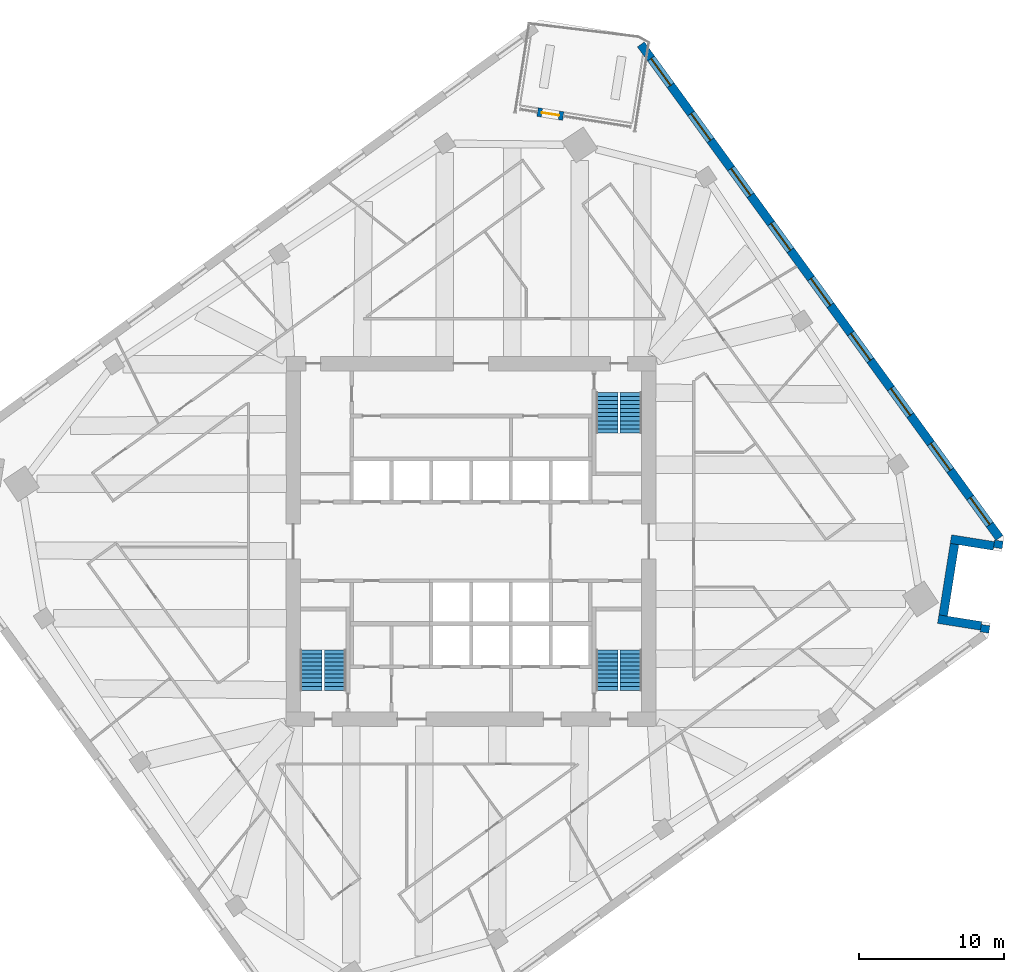
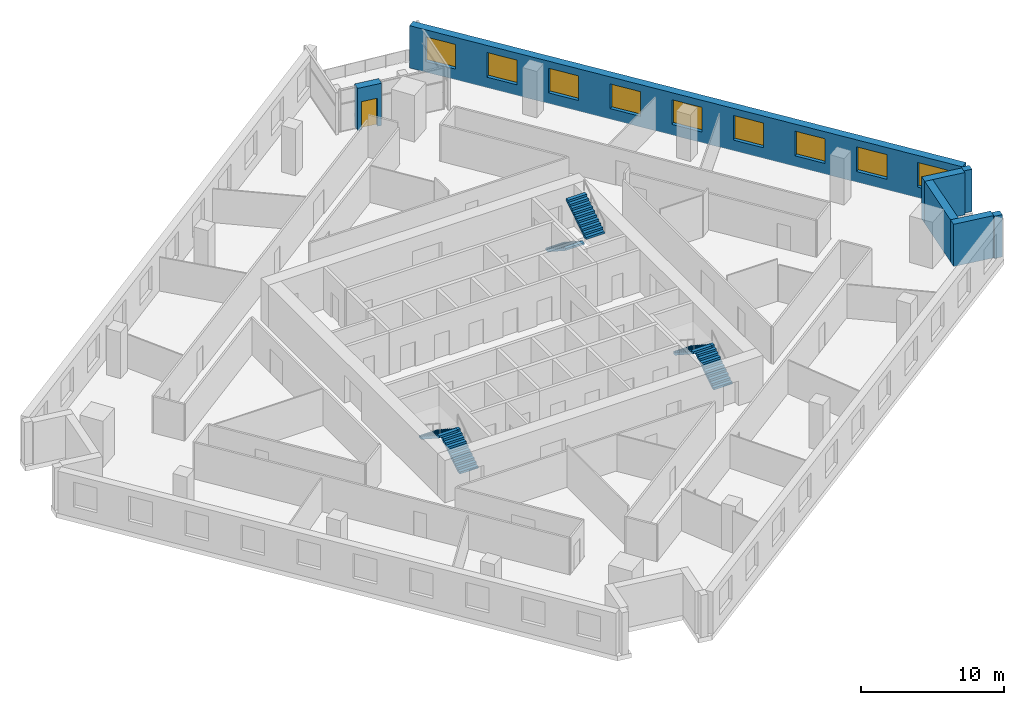
# One storey, part 9 of 11: 9 windows, 7 walls, 6 stair flights, 1 door, 10 openings, 3 elements without a shape of their own.
"""IFC4 building model written with IfcOpenShell, lengths in metres."""

from ifc_helpers import new_model, si_unit, direction, frame, frame_2d, origin, place, context, subcontext, project, spatial, polyline, rectangle, outline, extrude, material, layer, layer_set, type_object, element, fill, aggregate, save


model = new_model("IFC4")

# Units and contexts
model_context = context("Model", 3, precision=1e-05, world=origin(), true_north=direction((0.0, 1.0)))
body_context = subcontext(model_context, "Body", "Model", "MODEL_VIEW")
ifc_project = project(units=[si_unit("LENGTHUNIT", "METRE"), si_unit("AREAUNIT", "SQUARE_METRE"), si_unit("VOLUMEUNIT", "CUBIC_METRE"), si_unit("PLANEANGLEUNIT", "RADIAN"), si_unit("MASSUNIT", "GRAM", prefix="KILO")], contexts=[model_context])

# Site, building, storey
site_placement = place(None, origin())
site = spatial("IfcSite", under=ifc_project, at=site_placement, CompositionType="ELEMENT")
building_placement = place(site_placement, origin())
building = spatial("IfcBuilding", under=site, at=building_placement, Name="Dilmun Exchange Tower", CompositionType="ELEMENT")
storey_placement = place(building_placement, frame((0.0, 0.0, 163.699951171875)))
storey = spatial("IfcBuildingStorey", under=building, at=storey_placement, Name="L38", CompositionType="ELEMENT", Elevation=163.699951171875)

# Walls
ifc_material_1 = material(Name="Precast concrete C50/60", Category="concrete")
ifc_layer = layer(ifc_material_1, 0.60009765625)
ifc_layer_set = layer_set([ifc_layer], Name="Precast concrete C50/60")
wall_type = type_object("IfcWallType", Name="Precast stone-clad wall 600", PredefinedType="STANDARD", material=ifc_layer_set)
wall_1_placement = place(storey_placement, frame((35.497314453125, -6.296142578125, 0.0), z_axis=(0.0, 0.0, 1.0), x_axis=(0.156649231492, 0.987654300994, 0.0)))
element("IfcWall", 1, at=wall_1_placement, inside=storey, type_object=wall_type, Name="Facade wall L38-16", PredefinedType="STANDARD", context=body_context, shape_type="SweptSolid", body=[
    extrude(rectangle(XDim=0.51123046875, YDim=0.60009765625, at=frame_2d((0.255615234375, 0.0))), origin(), (0.0, 0.0, 1.0), 3.60009765625),
])
wall_2_placement = place(storey_placement, frame((35.265380859375, -5.843017578125, 0.0), z_axis=(0.0, 0.0, 1.0), x_axis=(-0.987692262674, 0.156409699997, 0.0)))
element("IfcWall", 2, at=wall_2_placement, inside=storey, type_object=wall_type, Name="Facade wall L38-17", PredefinedType="STANDARD", context=body_context, shape_type="SweptSolid", body=[
    extrude(rectangle(XDim=3.0, YDim=0.60009765625, at=frame_2d((1.5, 0.0))), origin(), (0.0, 0.0, 1.0), 3.60009765625),
])
wall_3_placement = place(storey_placement, frame((32.6455078125, -5.12451171875, 0.0), z_axis=(0.0, 0.0, 1.0), x_axis=(0.156443969736, 0.987686835152, 0.0)))
element("IfcWall", 3, at=wall_3_placement, inside=storey, type_object=wall_type, Name="Facade wall L38-18", PredefinedType="STANDARD", context=body_context, shape_type="SweptSolid", body=[
    extrude(rectangle(XDim=5.0, YDim=0.60009765625, at=frame_2d((2.5, 0.0))), origin(), (0.0, 0.0, 1.0), 3.60009765625),
])
wall_4_placement = place(storey_placement, frame((33.178466796875, 0.1572265625, 0.0), z_axis=(0.0, 0.0, 1.0), x_axis=(0.987690271588, -0.156422272742, 0.0)))
element("IfcWall", 4, at=wall_4_placement, inside=storey, type_object=wall_type, Name="Facade wall L38-19", PredefinedType="STANDARD", context=body_context, shape_type="SweptSolid", body=[
    extrude(rectangle(XDim=2.999755859375, YDim=0.60009765625, at=frame_2d((1.5, 0.0))), origin(), (0.0, 0.0, 1.0), 3.60009765625),
])
wall_5_placement = place(storey_placement, frame((36.422119140625, -0.457763671875, 0.0), z_axis=(0.0, 0.0, 1.0), x_axis=(0.156575375554, 0.987666012258, 0.0)))
element("IfcWall", 5, at=wall_5_placement, inside=storey, type_object=wall_type, Name="Facade wall L38-20", PredefinedType="STANDARD", context=body_context, shape_type="SweptSolid", body=[
    extrude(rectangle(XDim=0.511474609375, YDim=0.60009765625, at=frame_2d((0.255859375, 0.0))), origin(), (0.0, 0.0, 1.0), 3.60009765625),
])

# Wall, openings, windows
wall_6_placement = place(storey_placement, frame((36.533447265625, 0.244873046875, 0.0), z_axis=(0.0, 0.0, 1.0), x_axis=(-0.58778579343, 0.809016601215, 0.0)))
wall_6 = element("IfcWall", 6, at=wall_6_placement, inside=storey, type_object=wall_type, Name="Facade wall L38-21", PredefinedType="STANDARD", context=body_context, shape_type="SweptSolid", body=[
    extrude(rectangle(XDim=42.17578125, YDim=0.60009765625, at=frame_2d((21.087890625, 0.0))), origin(), (0.0, 0.0, 1.0), 3.60009765625),
])
opening_1_placement = place(wall_6_placement, frame((1.137939453125, 0.0, 0.89990234375)))
opening_1 = element("IfcOpeningElement", 7, at=opening_1_placement, cuts=wall_6, Name="Opening W230-210", PredefinedType="OPENING", context=body_context, shape_type="SweptSolid", body=[
    extrude(rectangle(XDim=2.300048828125, YDim=2.10009765625, at=frame_2d((1.14990234375, 1.050048828125))), frame((0.0, 0.31005859375, 0.0), z_axis=(0.0, -1.0, 0.0), x_axis=(1.0, 0.0, 0.0)), (0.0, 0.0, 1.0), 0.6201171875),
])
opening_2_placement = place(wall_6_placement, frame((5.775634765625, 0.0, 0.89990234375)))
opening_2 = element("IfcOpeningElement", 8, at=opening_2_placement, cuts=wall_6, Name="Opening W230-210", PredefinedType="OPENING", context=body_context, shape_type="SweptSolid", body=[
    extrude(rectangle(XDim=2.300048828125, YDim=2.10009765625, at=frame_2d((1.14990234375, 1.050048828125))), frame((0.0, 0.31005859375, 0.0), z_axis=(0.0, -1.0, 0.0), x_axis=(1.0, 0.0, 0.0)), (0.0, 0.0, 1.0), 0.6201171875),
])
opening_3_placement = place(wall_6_placement, frame((10.4755859375, 0.0, 0.89990234375)))
opening_3 = element("IfcOpeningElement", 9, at=opening_3_placement, cuts=wall_6, Name="Opening W230-210", PredefinedType="OPENING", context=body_context, shape_type="SweptSolid", body=[
    extrude(rectangle(XDim=2.300048828125, YDim=2.10009765625, at=frame_2d((1.14990234375, 1.050048828125))), frame((0.0, 0.31005859375, 0.0), z_axis=(0.0, -1.0, 0.0), x_axis=(1.0, 0.0, 0.0)), (0.0, 0.0, 1.0), 0.6201171875),
])
opening_4_placement = place(wall_6_placement, frame((15.17578125, 0.0, 0.89990234375)))
opening_4 = element("IfcOpeningElement", 10, at=opening_4_placement, cuts=wall_6, Name="Opening W230-210", PredefinedType="OPENING", context=body_context, shape_type="SweptSolid", body=[
    extrude(rectangle(XDim=2.300048828125, YDim=2.10009765625, at=frame_2d((1.14990234375, 1.050048828125))), frame((0.0, 0.31005859375, 0.0), z_axis=(0.0, -1.0, 0.0), x_axis=(1.0, 0.0, 0.0)), (0.0, 0.0, 1.0), 0.6201171875),
])
opening_5_placement = place(wall_6_placement, frame((19.875732421875, 0.0, 0.89990234375)))
opening_5 = element("IfcOpeningElement", 11, at=opening_5_placement, cuts=wall_6, Name="Opening W230-210", PredefinedType="OPENING", context=body_context, shape_type="SweptSolid", body=[
    extrude(rectangle(XDim=2.300048828125, YDim=2.10009765625, at=frame_2d((1.14990234375, 1.050048828125))), frame((0.0, 0.31005859375, 0.0), z_axis=(0.0, -1.0, 0.0), x_axis=(1.0, 0.0, 0.0)), (0.0, 0.0, 1.0), 0.6201171875),
])
opening_6_placement = place(wall_6_placement, frame((24.57568359375, 0.0, 0.89990234375)))
opening_6 = element("IfcOpeningElement", 12, at=opening_6_placement, cuts=wall_6, Name="Opening W230-210", PredefinedType="OPENING", context=body_context, shape_type="SweptSolid", body=[
    extrude(rectangle(XDim=2.300048828125, YDim=2.10009765625, at=frame_2d((1.14990234375, 1.050048828125))), frame((0.0, 0.31005859375, 0.0), z_axis=(0.0, -1.0, 0.0), x_axis=(1.0, 0.0, 0.0)), (0.0, 0.0, 1.0), 0.6201171875),
])
opening_7_placement = place(wall_6_placement, frame((29.275634765625, 0.0, 0.89990234375)))
opening_7 = element("IfcOpeningElement", 13, at=opening_7_placement, cuts=wall_6, Name="Opening W230-210", PredefinedType="OPENING", context=body_context, shape_type="SweptSolid", body=[
    extrude(rectangle(XDim=2.300048828125, YDim=2.10009765625, at=frame_2d((1.14990234375, 1.050048828125))), frame((0.0, 0.31005859375, 0.0), z_axis=(0.0, -1.0, 0.0), x_axis=(1.0, 0.0, 0.0)), (0.0, 0.0, 1.0), 0.6201171875),
])
opening_8_placement = place(wall_6_placement, frame((33.9755859375, 0.0, 0.89990234375)))
opening_8 = element("IfcOpeningElement", 14, at=opening_8_placement, cuts=wall_6, Name="Opening W230-210", PredefinedType="OPENING", context=body_context, shape_type="SweptSolid", body=[
    extrude(rectangle(XDim=2.300048828125, YDim=2.10009765625, at=frame_2d((1.14990234375, 1.050048828125))), frame((0.0, 0.31005859375, 0.0), z_axis=(0.0, -1.0, 0.0), x_axis=(1.0, 0.0, 0.0)), (0.0, 0.0, 1.0), 0.6201171875),
])
opening_9_placement = place(wall_6_placement, frame((38.67578125, 0.0, 0.89990234375)))
opening_9 = element("IfcOpeningElement", 15, at=opening_9_placement, cuts=wall_6, Name="Opening W230-210", PredefinedType="OPENING", context=body_context, shape_type="SweptSolid", body=[
    extrude(rectangle(XDim=2.300048828125, YDim=2.10009765625, at=frame_2d((1.14990234375, 1.050048828125))), frame((0.0, 0.31005859375, 0.0), z_axis=(0.0, -1.0, 0.0), x_axis=(1.0, 0.0, 0.0)), (0.0, 0.0, 1.0), 0.6201171875),
])
ifc_material_2 = material(Name="Clear low-emissivity glass in aluminium frame", Category="aluminium")
window_type = type_object("IfcWindowType", Name="Punched window 2300 x 2100", PartitioningType="DOUBLE_PANEL_VERTICAL", PredefinedType="WINDOW", material=ifc_material_2)
window_1_placement = place(opening_1_placement, origin())
window_1 = element("IfcWindow", 16, at=window_1_placement, inside=storey, type_object=window_type, Name="Window 22.1", OverallHeight=2.10009765625, OverallWidth=2.300048828125, PartitioningType="SINGLE_PANEL", PredefinedType="WINDOW", context=body_context, shape_type="SweptSolid", body=[
    extrude(rectangle(XDim=2.300048828125, YDim=2.10009765625, at=frame_2d((1.14990234375, 1.050048828125))), frame((0.0, 0.030029296875, 0.0), z_axis=(0.0, -1.0, 0.0), x_axis=(1.0, 0.0, 0.0)), (0.0, 0.0, 1.0), 0.06005859375),
])
fill(opening_1, window_1)
window_2_placement = place(opening_2_placement, origin())
window_2 = element("IfcWindow", 17, at=window_2_placement, inside=storey, type_object=window_type, Name="Window 22.2", OverallHeight=2.10009765625, OverallWidth=2.300048828125, PartitioningType="SINGLE_PANEL", PredefinedType="WINDOW", context=body_context, shape_type="SweptSolid", body=[
    extrude(rectangle(XDim=2.300048828125, YDim=2.10009765625, at=frame_2d((1.14990234375, 1.050048828125))), frame((0.0, 0.030029296875, 0.0), z_axis=(0.0, -1.0, 0.0), x_axis=(1.0, 0.0, 0.0)), (0.0, 0.0, 1.0), 0.06005859375),
])
fill(opening_2, window_2)
window_3_placement = place(opening_3_placement, origin())
window_3 = element("IfcWindow", 18, at=window_3_placement, inside=storey, type_object=window_type, Name="Window 22.3", OverallHeight=2.10009765625, OverallWidth=2.300048828125, PartitioningType="SINGLE_PANEL", PredefinedType="WINDOW", context=body_context, shape_type="SweptSolid", body=[
    extrude(rectangle(XDim=2.300048828125, YDim=2.10009765625, at=frame_2d((1.14990234375, 1.050048828125))), frame((0.0, 0.030029296875, 0.0), z_axis=(0.0, -1.0, 0.0), x_axis=(1.0, 0.0, 0.0)), (0.0, 0.0, 1.0), 0.06005859375),
])
fill(opening_3, window_3)
window_4_placement = place(opening_4_placement, origin())
window_4 = element("IfcWindow", 19, at=window_4_placement, inside=storey, type_object=window_type, Name="Window 22.4", OverallHeight=2.10009765625, OverallWidth=2.300048828125, PartitioningType="SINGLE_PANEL", PredefinedType="WINDOW", context=body_context, shape_type="SweptSolid", body=[
    extrude(rectangle(XDim=2.300048828125, YDim=2.10009765625, at=frame_2d((1.14990234375, 1.050048828125))), frame((0.0, 0.030029296875, 0.0), z_axis=(0.0, -1.0, 0.0), x_axis=(1.0, 0.0, 0.0)), (0.0, 0.0, 1.0), 0.06005859375),
])
fill(opening_4, window_4)
window_5_placement = place(opening_5_placement, origin())
window_5 = element("IfcWindow", 20, at=window_5_placement, inside=storey, type_object=window_type, Name="Window 22.5", OverallHeight=2.10009765625, OverallWidth=2.300048828125, PartitioningType="SINGLE_PANEL", PredefinedType="WINDOW", context=body_context, shape_type="SweptSolid", body=[
    extrude(rectangle(XDim=2.300048828125, YDim=2.10009765625, at=frame_2d((1.14990234375, 1.050048828125))), frame((0.0, 0.030029296875, 0.0), z_axis=(0.0, -1.0, 0.0), x_axis=(1.0, 0.0, 0.0)), (0.0, 0.0, 1.0), 0.06005859375),
])
fill(opening_5, window_5)
window_6_placement = place(opening_6_placement, origin())
window_6 = element("IfcWindow", 21, at=window_6_placement, inside=storey, type_object=window_type, Name="Window 22.6", OverallHeight=2.10009765625, OverallWidth=2.300048828125, PartitioningType="SINGLE_PANEL", PredefinedType="WINDOW", context=body_context, shape_type="SweptSolid", body=[
    extrude(rectangle(XDim=2.300048828125, YDim=2.10009765625, at=frame_2d((1.14990234375, 1.050048828125))), frame((0.0, 0.030029296875, 0.0), z_axis=(0.0, -1.0, 0.0), x_axis=(1.0, 0.0, 0.0)), (0.0, 0.0, 1.0), 0.06005859375),
])
fill(opening_6, window_6)
window_7_placement = place(opening_7_placement, origin())
window_7 = element("IfcWindow", 22, at=window_7_placement, inside=storey, type_object=window_type, Name="Window 22.7", OverallHeight=2.10009765625, OverallWidth=2.300048828125, PartitioningType="SINGLE_PANEL", PredefinedType="WINDOW", context=body_context, shape_type="SweptSolid", body=[
    extrude(rectangle(XDim=2.300048828125, YDim=2.10009765625, at=frame_2d((1.14990234375, 1.050048828125))), frame((0.0, 0.030029296875, 0.0), z_axis=(0.0, -1.0, 0.0), x_axis=(1.0, 0.0, 0.0)), (0.0, 0.0, 1.0), 0.06005859375),
])
fill(opening_7, window_7)
window_8_placement = place(opening_8_placement, origin())
window_8 = element("IfcWindow", 23, at=window_8_placement, inside=storey, type_object=window_type, Name="Window 22.8", OverallHeight=2.10009765625, OverallWidth=2.300048828125, PartitioningType="SINGLE_PANEL", PredefinedType="WINDOW", context=body_context, shape_type="SweptSolid", body=[
    extrude(rectangle(XDim=2.300048828125, YDim=2.10009765625, at=frame_2d((1.14990234375, 1.050048828125))), frame((0.0, 0.030029296875, 0.0), z_axis=(0.0, -1.0, 0.0), x_axis=(1.0, 0.0, 0.0)), (0.0, 0.0, 1.0), 0.06005859375),
])
fill(opening_8, window_8)
window_9_placement = place(opening_9_placement, origin())
window_9 = element("IfcWindow", 24, at=window_9_placement, inside=storey, type_object=window_type, Name="Window 22.9", OverallHeight=2.10009765625, OverallWidth=2.300048828125, PartitioningType="SINGLE_PANEL", PredefinedType="WINDOW", context=body_context, shape_type="SweptSolid", body=[
    extrude(rectangle(XDim=2.300048828125, YDim=2.10009765625, at=frame_2d((1.14990234375, 1.050048828125))), frame((0.0, 0.030029296875, 0.0), z_axis=(0.0, -1.0, 0.0), x_axis=(1.0, 0.0, 0.0)), (0.0, 0.0, 1.0), 0.06005859375),
])
fill(opening_9, window_9)

# Wall, opening, door
wall_7_placement = place(storey_placement, frame((6.374755859375, 29.41015625, 0.0), z_axis=(0.0, 0.0, 1.0), x_axis=(-0.9876957895, 0.156387427258, 0.0)))
wall_7 = element("IfcWall", 25, at=wall_7_placement, inside=storey, type_object=wall_type, Name="Facade wall L38-01-D", PredefinedType="STANDARD", context=body_context, shape_type="SweptSolid", body=[
    extrude(rectangle(XDim=1.800048828125, YDim=0.60009765625, at=frame_2d((0.89990234375, 0.0))), origin(), (0.0, 0.0, 1.0), 3.60009765625),
])
opening_10_placement = place(wall_7_placement, frame((0.300048828125, 0.0, 0.0)))
opening_10 = element("IfcOpeningElement", 26, at=opening_10_placement, cuts=wall_7, Name="Opening GD-1", PredefinedType="OPENING", context=body_context, shape_type="SweptSolid", body=[
    extrude(rectangle(XDim=1.199951171875, YDim=2.39990234375, at=frame_2d((0.60009765625, 1.199951171875))), frame((0.0, 0.31005859375, 0.0), z_axis=(0.0, -1.0, 0.0), x_axis=(1.0, 0.0, 0.0)), (0.0, 0.0, 1.0), 0.6201171875),
])
door_type = type_object("IfcDoorType", Name="Glazed garden door 1200 x 2400", OperationType="SINGLE_SWING_LEFT", PredefinedType="DOOR", material=ifc_material_2)
door_placement = place(opening_10_placement, origin())
door = element("IfcDoor", 27, at=door_placement, inside=storey, type_object=door_type, Name="Garden terrace door", OperationType="SINGLE_SWING_LEFT", OverallHeight=2.39990234375, OverallWidth=1.199951171875, PredefinedType="DOOR", context=body_context, shape_type="SweptSolid", body=[
    extrude(rectangle(XDim=1.199951171875, YDim=2.39990234375, at=frame_2d((0.60009765625, 1.199951171875))), frame((0.0, 0.02490234375, 0.0), z_axis=(0.0, -1.0, 0.0), x_axis=(1.0, 0.0, 0.0)), (0.0, 0.0, 1.0), 0.050048828125),
])
fill(opening_10, door)

# Stair, stair flights
ifc_material_3 = material(Name="Concrete C40/50", Category="concrete")
stair_type = type_object("IfcStairType", Name="Exit stair 1500 half-turn", PredefinedType="HALF_TURN_STAIR", material=ifc_material_3)
stair_1_placement = place(storey_placement, origin())
stair_1 = element("IfcStair", 28, at=stair_1_placement, inside=storey, type_object=stair_type, Name="L38 Protected exit stair ST1", PredefinedType="HALF_TURN_STAIR")
stair_flight_type = type_object("IfcStairFlightType", Name="Exit stair flight 1500", PredefinedType="STRAIGHT", material=ifc_material_3)
stair_flight_1_placement = place(storey_placement, frame((9.39990234375, 10.300048828125, 0.0), z_axis=(0.0, 0.0, 1.0), x_axis=(0.0, -1.0, 0.0)))
stair_flight_1 = element("IfcStairFlight", 29, at=stair_flight_1_placement, type_object=stair_flight_type, Name="ST1 flight 1", NumberOfRisers=11, NumberOfTreads=10, PredefinedType="STRAIGHT", RiserHeight=0.181818182, TreadLength=0.28, context=body_context, shape_type="SweptSolid", body=[
    extrude(outline(polyline([(0.0, 0.0), (0.0, 0.181884765625), (0.280029296875, 0.181884765625), (0.280029296875, 0.363525390625), (0.56005859375, 0.363525390625), (0.56005859375, 0.54541015625), (0.840087890625, 0.54541015625), (0.840087890625, 0.727294921875), (1.1201171875, 0.727294921875), (1.1201171875, 0.9091796875), (1.39990234375, 0.9091796875), (1.39990234375, 1.0908203125), (1.679931640625, 1.0908203125), (1.679931640625, 1.272705078125), (1.9599609375, 1.272705078125), (1.9599609375, 1.45458984375), (2.239990234375, 1.45458984375), (2.239990234375, 1.636474609375), (2.52001953125, 1.636474609375), (2.52001953125, 1.818115234375), (2.800048828125, 1.818115234375), (2.800048828125, 2.0), (2.800048828125, 1.639404296875), (0.275146484375, 0.0), (0.0, 0.0)])), frame((0.0, 0.75, 0.0), z_axis=(0.0, -1.0, 0.0), x_axis=(1.0, 0.0, 0.0)), (0.0, 0.0, 1.0), 1.5),
])
stair_flight_2_placement = place(storey_placement, frame((11.050048828125, 7.5, 2.0), z_axis=(0.0, 0.0, 1.0), x_axis=(0.0, 1.0, 0.0)))
stair_flight_2 = element("IfcStairFlight", 30, at=stair_flight_2_placement, type_object=stair_flight_type, Name="ST1 flight 2", NumberOfRisers=11, NumberOfTreads=10, PredefinedType="STRAIGHT", RiserHeight=0.181818182, TreadLength=0.28, context=body_context, shape_type="SweptSolid", body=[
    extrude(outline(polyline([(0.0, 0.0), (0.0, 0.181884765625), (0.280029296875, 0.181884765625), (0.280029296875, 0.363525390625), (0.56005859375, 0.363525390625), (0.56005859375, 0.54541015625), (0.840087890625, 0.54541015625), (0.840087890625, 0.727294921875), (1.1201171875, 0.727294921875), (1.1201171875, 0.9091796875), (1.39990234375, 0.9091796875), (1.39990234375, 1.0908203125), (1.679931640625, 1.0908203125), (1.679931640625, 1.272705078125), (1.9599609375, 1.272705078125), (1.9599609375, 1.45458984375), (2.239990234375, 1.45458984375), (2.239990234375, 1.636474609375), (2.52001953125, 1.636474609375), (2.52001953125, 1.818115234375), (2.800048828125, 1.818115234375), (2.800048828125, 2.0), (2.800048828125, 1.639404296875), (0.275146484375, 0.0), (0.0, 0.0)])), frame((0.0, 0.75, 0.0), z_axis=(0.0, -1.0, 0.0), x_axis=(1.0, 0.0, 0.0)), (0.0, 0.0, 1.0), 1.5),
])
aggregate(stair_1, [stair_flight_1, stair_flight_2])

stair_2_placement = place(storey_placement, origin())
stair_2 = element("IfcStair", 31, at=stair_2_placement, inside=storey, type_object=stair_type, Name="L38 Protected exit stair ST2", PredefinedType="HALF_TURN_STAIR")
stair_flight_3_placement = place(storey_placement, frame((-9.39990234375, -10.300048828125, 0.0), z_axis=(0.0, 0.0, 1.0), x_axis=(0.0, 1.0, 0.0)))
stair_flight_3 = element("IfcStairFlight", 32, at=stair_flight_3_placement, type_object=stair_flight_type, Name="ST2 flight 1", NumberOfRisers=11, NumberOfTreads=10, PredefinedType="STRAIGHT", RiserHeight=0.181818182, TreadLength=0.28, context=body_context, shape_type="SweptSolid", body=[
    extrude(outline(polyline([(0.0, 0.0), (0.0, 0.181884765625), (0.280029296875, 0.181884765625), (0.280029296875, 0.363525390625), (0.56005859375, 0.363525390625), (0.56005859375, 0.54541015625), (0.840087890625, 0.54541015625), (0.840087890625, 0.727294921875), (1.1201171875, 0.727294921875), (1.1201171875, 0.9091796875), (1.39990234375, 0.9091796875), (1.39990234375, 1.0908203125), (1.679931640625, 1.0908203125), (1.679931640625, 1.272705078125), (1.9599609375, 1.272705078125), (1.9599609375, 1.45458984375), (2.239990234375, 1.45458984375), (2.239990234375, 1.636474609375), (2.52001953125, 1.636474609375), (2.52001953125, 1.818115234375), (2.800048828125, 1.818115234375), (2.800048828125, 2.0), (2.800048828125, 1.639404296875), (0.275146484375, 0.0), (0.0, 0.0)])), frame((0.0, 0.75, 0.0), z_axis=(0.0, -1.0, 0.0), x_axis=(1.0, 0.0, 0.0)), (0.0, 0.0, 1.0), 1.5),
])
stair_flight_4_placement = place(storey_placement, frame((-11.050048828125, -7.5, 2.0), z_axis=(0.0, 0.0, 1.0), x_axis=(0.0, -1.0, 0.0)))
stair_flight_4 = element("IfcStairFlight", 33, at=stair_flight_4_placement, type_object=stair_flight_type, Name="ST2 flight 2", NumberOfRisers=11, NumberOfTreads=10, PredefinedType="STRAIGHT", RiserHeight=0.181818182, TreadLength=0.28, context=body_context, shape_type="SweptSolid", body=[
    extrude(outline(polyline([(0.0, 0.0), (0.0, 0.181884765625), (0.280029296875, 0.181884765625), (0.280029296875, 0.363525390625), (0.56005859375, 0.363525390625), (0.56005859375, 0.54541015625), (0.840087890625, 0.54541015625), (0.840087890625, 0.727294921875), (1.1201171875, 0.727294921875), (1.1201171875, 0.9091796875), (1.39990234375, 0.9091796875), (1.39990234375, 1.0908203125), (1.679931640625, 1.0908203125), (1.679931640625, 1.272705078125), (1.9599609375, 1.272705078125), (1.9599609375, 1.45458984375), (2.239990234375, 1.45458984375), (2.239990234375, 1.636474609375), (2.52001953125, 1.636474609375), (2.52001953125, 1.818115234375), (2.800048828125, 1.818115234375), (2.800048828125, 2.0), (2.800048828125, 1.639404296875), (0.275146484375, 0.0), (0.0, 0.0)])), frame((0.0, 0.75, 0.0), z_axis=(0.0, -1.0, 0.0), x_axis=(1.0, 0.0, 0.0)), (0.0, 0.0, 1.0), 1.5),
])
aggregate(stair_2, [stair_flight_3, stair_flight_4])

stair_3_placement = place(storey_placement, origin())
stair_3 = element("IfcStair", 34, at=stair_3_placement, inside=storey, type_object=stair_type, Name="L38 Protected exit stair ST3", PredefinedType="HALF_TURN_STAIR")
stair_flight_5_placement = place(storey_placement, frame((11.050048828125, -10.300048828125, 0.0), z_axis=(0.0, 0.0, 1.0), x_axis=(0.0, 1.0, 0.0)))
stair_flight_5 = element("IfcStairFlight", 35, at=stair_flight_5_placement, type_object=stair_flight_type, Name="ST3 flight 1", NumberOfRisers=11, NumberOfTreads=10, PredefinedType="STRAIGHT", RiserHeight=0.181818182, TreadLength=0.28, context=body_context, shape_type="SweptSolid", body=[
    extrude(outline(polyline([(0.0, 0.0), (0.0, 0.181884765625), (0.280029296875, 0.181884765625), (0.280029296875, 0.363525390625), (0.56005859375, 0.363525390625), (0.56005859375, 0.54541015625), (0.840087890625, 0.54541015625), (0.840087890625, 0.727294921875), (1.1201171875, 0.727294921875), (1.1201171875, 0.9091796875), (1.39990234375, 0.9091796875), (1.39990234375, 1.0908203125), (1.679931640625, 1.0908203125), (1.679931640625, 1.272705078125), (1.9599609375, 1.272705078125), (1.9599609375, 1.45458984375), (2.239990234375, 1.45458984375), (2.239990234375, 1.636474609375), (2.52001953125, 1.636474609375), (2.52001953125, 1.818115234375), (2.800048828125, 1.818115234375), (2.800048828125, 2.0), (2.800048828125, 1.639404296875), (0.275146484375, 0.0), (0.0, 0.0)])), frame((0.0, 0.75, 0.0), z_axis=(0.0, -1.0, 0.0), x_axis=(1.0, 0.0, 0.0)), (0.0, 0.0, 1.0), 1.5),
])
stair_flight_6_placement = place(storey_placement, frame((9.39990234375, -7.5, 2.0), z_axis=(0.0, 0.0, 1.0), x_axis=(0.0, -1.0, 0.0)))
stair_flight_6 = element("IfcStairFlight", 36, at=stair_flight_6_placement, type_object=stair_flight_type, Name="ST3 flight 2", NumberOfRisers=11, NumberOfTreads=10, PredefinedType="STRAIGHT", RiserHeight=0.181818182, TreadLength=0.28, context=body_context, shape_type="SweptSolid", body=[
    extrude(outline(polyline([(0.0, 0.0), (0.0, 0.181884765625), (0.280029296875, 0.181884765625), (0.280029296875, 0.363525390625), (0.56005859375, 0.363525390625), (0.56005859375, 0.54541015625), (0.840087890625, 0.54541015625), (0.840087890625, 0.727294921875), (1.1201171875, 0.727294921875), (1.1201171875, 0.9091796875), (1.39990234375, 0.9091796875), (1.39990234375, 1.0908203125), (1.679931640625, 1.0908203125), (1.679931640625, 1.272705078125), (1.9599609375, 1.272705078125), (1.9599609375, 1.45458984375), (2.239990234375, 1.45458984375), (2.239990234375, 1.636474609375), (2.52001953125, 1.636474609375), (2.52001953125, 1.818115234375), (2.800048828125, 1.818115234375), (2.800048828125, 2.0), (2.800048828125, 1.639404296875), (0.275146484375, 0.0), (0.0, 0.0)])), frame((0.0, 0.75, 0.0), z_axis=(0.0, -1.0, 0.0), x_axis=(1.0, 0.0, 0.0)), (0.0, 0.0, 1.0), 1.5),
])
aggregate(stair_3, [stair_flight_5, stair_flight_6])

save(model, "model.ifc")
